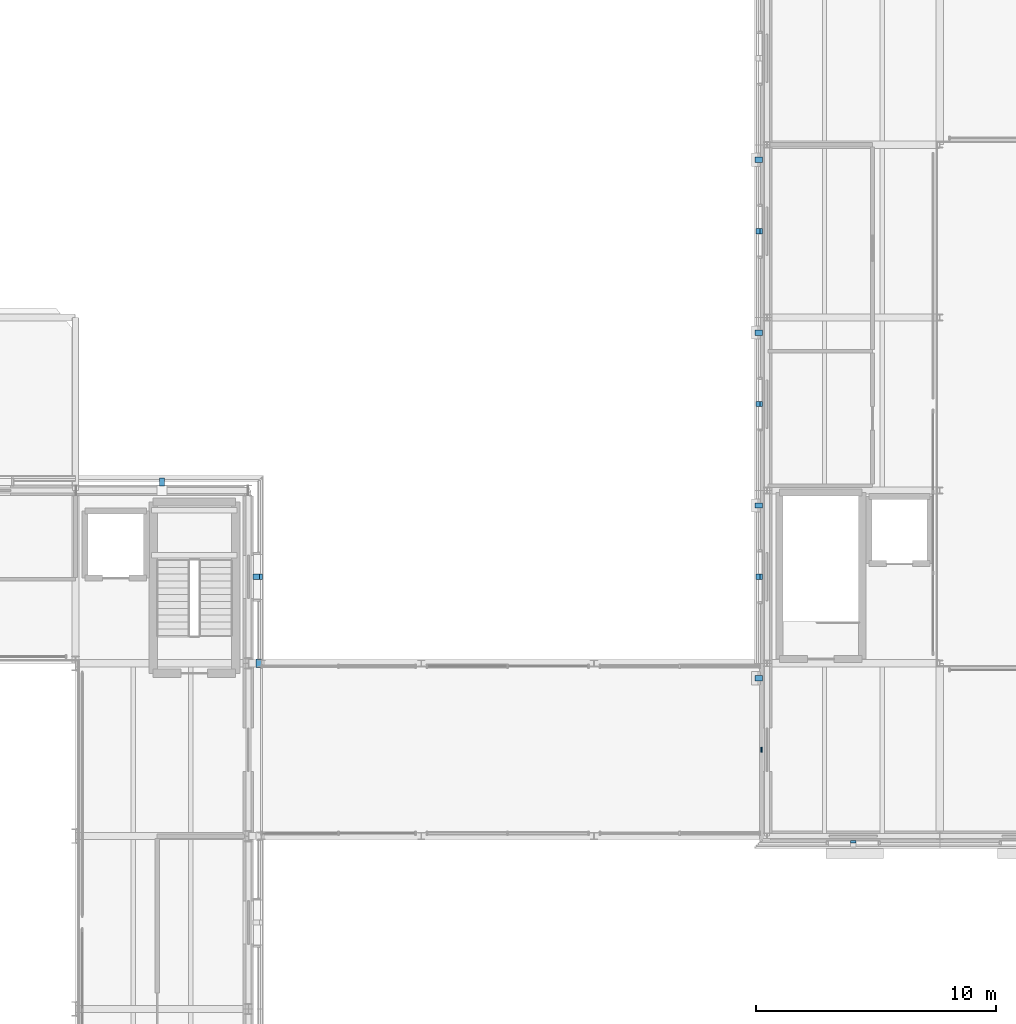
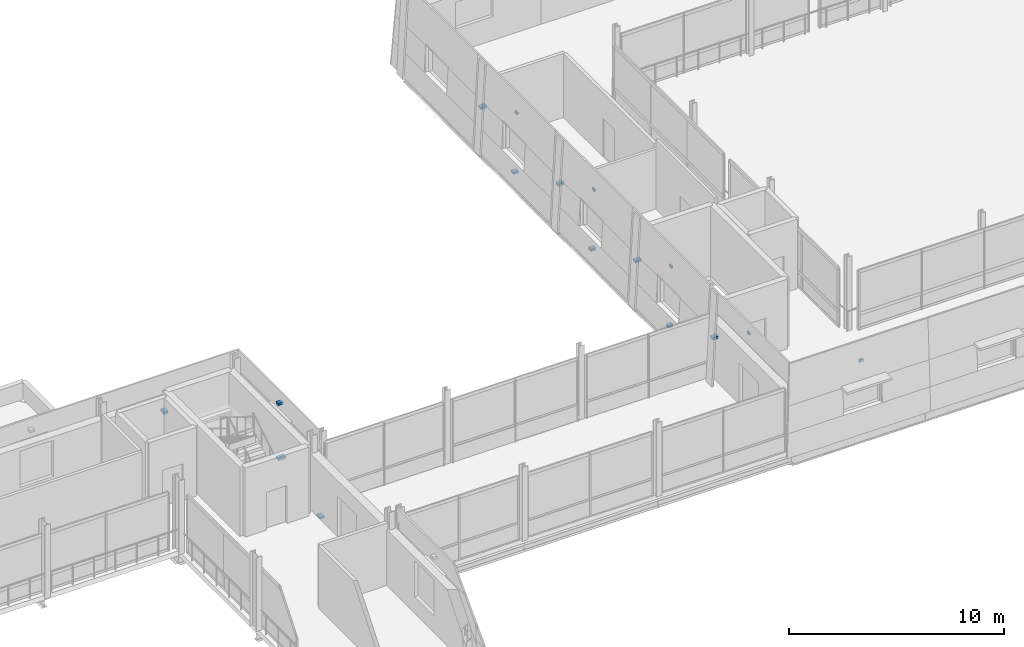
# One storey, part 86 of 115: 16 discrete accessories.
"""IFC4 building model written with IfcOpenShell, lengths in metres."""

from ifc_helpers import new_model, si_unit, direction, frame, origin, origin_2d, place, context, subcontext, project, spatial, rectangle, extrude, material, layer, layer_set, type_object, element, save


model = new_model("IFC4")

# Units and contexts
model_context = context("Model", 3, precision=1e-05, world=origin(), true_north=direction((0.0, 1.0)))
body_context = subcontext(model_context, "Body", "Model", "MODEL_VIEW")
ifc_project = project(units=[si_unit("LENGTHUNIT", "METRE"), si_unit("AREAUNIT", "SQUARE_METRE"), si_unit("VOLUMEUNIT", "CUBIC_METRE"), si_unit("PLANEANGLEUNIT", "RADIAN"), si_unit("MASSUNIT", "GRAM", prefix="KILO")], contexts=[model_context])

# Site, building, storey
site_placement = place(None, origin())
site = spatial("IfcSite", under=ifc_project, at=site_placement, CompositionType="ELEMENT")
building_placement = place(site_placement, origin())
building = spatial("IfcBuilding", under=site, at=building_placement, Name="Narikvali Park Central Library", CompositionType="ELEMENT")
storey_placement = place(building_placement, frame((0.0, 0.0, 10.199951171875)))
storey = spatial("IfcBuildingStorey", under=building, at=storey_placement, Name="L02", CompositionType="ELEMENT", Elevation=10.199951171875)

# Discrete accessories
ifc_material = material(Name="Brushed Stainless Steel S355", Category="steel")
ifc_layer_1 = layer(ifc_material, 0.139892578125, Name="Brushed Stainless Steel S355")
ifc_layer_set_1 = layer_set([ifc_layer_1], Name="Brushed Stainless Steel S355")
discrete_accessory_type_1 = type_object("IfcDiscreteAccessoryType", Name="Cladding Stainless Tie-Back Corbel Bracket", PredefinedType="BRACKET", material=ifc_layer_set_1)
discrete_accessory_1_placement = place(storey_placement, frame((101.1865234375, 90.0, 0.4052734375), z_axis=(0.0, 0.0, 1.0), x_axis=(1.0, 0.0, 0.0)))
element("IfcDiscreteAccessory", 1, at=discrete_accessory_1_placement, inside=storey, type_object=discrete_accessory_type_1, Name="Limestone Cladding Tie-Back Bracket V1-CLD-L02-E-B05-SP", PredefinedType="BRACKET", context=body_context, shape_type="SweptSolid", body=[
    extrude(rectangle(XDim=0.393310546875, YDim=0.219970703125, at=origin_2d()), origin(), (0.0, 0.0, 1.0), 0.139892578125),
])
discrete_accessory_2_placement = place(storey_placement, frame((101.12255859375, 90.0, 3.5302734375), z_axis=(0.0, 0.0, 1.0), x_axis=(1.0, 0.0, 0.0)))
element("IfcDiscreteAccessory", 2, at=discrete_accessory_2_placement, inside=storey, type_object=discrete_accessory_type_1, Name="Limestone Cladding Tie-Back Bracket V1-CLD-L02-E-B05-LN", PredefinedType="BRACKET", context=body_context, shape_type="SweptSolid", body=[
    extrude(rectangle(XDim=0.26513671875, YDim=0.219970703125, at=origin_2d()), origin(), (0.0, 0.0, 1.0), 0.139892578125),
])
discrete_accessory_3_placement = place(storey_placement, frame((97.199951171875, 93.953369140625, 2.0302734375), z_axis=(0.0, 0.0, 1.0), x_axis=(1.0, 0.0, 0.0)))
element("IfcDiscreteAccessory", 3, at=discrete_accessory_3_placement, inside=storey, type_object=discrete_accessory_type_1, Name="Limestone Cladding Tie-Back Bracket V1-CLD-L02-N-B01-FULL", PredefinedType="BRACKET", context=body_context, shape_type="SweptSolid", body=[
    extrude(rectangle(XDim=0.219970703125, YDim=0.32666015625, at=origin_2d()), origin(), (0.0, 0.0, 1.0), 0.139892578125),
])
discrete_accessory_4_placement = place(storey_placement, frame((126.0, 78.965087890625, 3.93017578125), z_axis=(0.0, 0.0, 1.0), x_axis=(1.0, 0.0, 0.0)))
element("IfcDiscreteAccessory", 4, at=discrete_accessory_4_placement, inside=storey, type_object=discrete_accessory_type_1, Name="Limestone Cladding Tie-Back Bracket V3-CLD-L02-S-B01-LN", PredefinedType="BRACKET", context=body_context, shape_type="SweptSolid", body=[
    extrude(rectangle(XDim=0.219970703125, YDim=0.08984375, at=origin_2d()), origin(), (0.0, 0.0, 1.0), 0.139892578125),
])
discrete_accessory_5_placement = place(storey_placement, frame((122.057861328125, 107.375, 2.5048828125), z_axis=(0.0, 0.0, 1.0), x_axis=(1.0, 0.0, 0.0)))
element("IfcDiscreteAccessory", 5, at=discrete_accessory_5_placement, inside=storey, type_object=discrete_accessory_type_1, Name="Limestone Cladding Tie-Back Bracket V3-PIL-L02-W-B02", PredefinedType="BRACKET", context=body_context, shape_type="SweptSolid", body=[
    extrude(rectangle(XDim=0.30419921875, YDim=0.219970703125, at=origin_2d()), origin(), (0.0, 0.0, 1.0), 0.139892578125),
])
discrete_accessory_6_placement = place(storey_placement, frame((122.078369140625, 104.39990234375, 0.60498046875), z_axis=(0.0, 0.0, 1.0), x_axis=(1.0, 0.0, 0.0)))
element("IfcDiscreteAccessory", 6, at=discrete_accessory_6_placement, inside=storey, type_object=discrete_accessory_type_1, Name="Limestone Cladding Tie-Back Bracket V3-CLD-L02-W-B02-SP", PredefinedType="BRACKET", context=body_context, shape_type="SweptSolid", body=[
    extrude(rectangle(XDim=0.26318359375, YDim=0.219970703125, at=origin_2d()), origin(), (0.0, 0.0, 1.0), 0.139892578125),
])
discrete_accessory_7_placement = place(storey_placement, frame((122.1650390625, 104.39990234375, 3.93017578125), z_axis=(0.0, 0.0, 1.0), x_axis=(1.0, 0.0, 0.0)))
element("IfcDiscreteAccessory", 7, at=discrete_accessory_7_placement, inside=storey, type_object=discrete_accessory_type_1, Name="Limestone Cladding Tie-Back Bracket V3-CLD-L02-W-B02-LN", PredefinedType="BRACKET", context=body_context, shape_type="SweptSolid", body=[
    extrude(rectangle(XDim=0.08984375, YDim=0.219970703125, at=origin_2d()), origin(), (0.0, 0.0, 1.0), 0.139892578125),
])
discrete_accessory_8_placement = place(storey_placement, frame((122.057861328125, 100.175048828125, 2.5048828125), z_axis=(0.0, 0.0, 1.0), x_axis=(1.0, 0.0, 0.0)))
element("IfcDiscreteAccessory", 8, at=discrete_accessory_8_placement, inside=storey, type_object=discrete_accessory_type_1, Name="Limestone Cladding Tie-Back Bracket V3-PIL-L02-W-B03", PredefinedType="BRACKET", context=body_context, shape_type="SweptSolid", body=[
    extrude(rectangle(XDim=0.30419921875, YDim=0.219970703125, at=origin_2d()), origin(), (0.0, 0.0, 1.0), 0.139892578125),
])
discrete_accessory_9_placement = place(storey_placement, frame((122.078369140625, 97.199951171875, 0.60498046875), z_axis=(0.0, 0.0, 1.0), x_axis=(1.0, 0.0, 0.0)))
element("IfcDiscreteAccessory", 9, at=discrete_accessory_9_placement, inside=storey, type_object=discrete_accessory_type_1, Name="Limestone Cladding Tie-Back Bracket V3-CLD-L02-W-B03-SP", PredefinedType="BRACKET", context=body_context, shape_type="SweptSolid", body=[
    extrude(rectangle(XDim=0.26318359375, YDim=0.219970703125, at=origin_2d()), origin(), (0.0, 0.0, 1.0), 0.139892578125),
])
discrete_accessory_10_placement = place(storey_placement, frame((122.1650390625, 97.199951171875, 3.93017578125), z_axis=(0.0, 0.0, 1.0), x_axis=(1.0, 0.0, 0.0)))
element("IfcDiscreteAccessory", 10, at=discrete_accessory_10_placement, inside=storey, type_object=discrete_accessory_type_1, Name="Limestone Cladding Tie-Back Bracket V3-CLD-L02-W-B03-LN", PredefinedType="BRACKET", context=body_context, shape_type="SweptSolid", body=[
    extrude(rectangle(XDim=0.08984375, YDim=0.219970703125, at=origin_2d()), origin(), (0.0, 0.0, 1.0), 0.139892578125),
])
discrete_accessory_11_placement = place(storey_placement, frame((122.057861328125, 92.97509765625, 2.5048828125), z_axis=(0.0, 0.0, 1.0), x_axis=(1.0, 0.0, 0.0)))
element("IfcDiscreteAccessory", 11, at=discrete_accessory_11_placement, inside=storey, type_object=discrete_accessory_type_1, Name="Limestone Cladding Tie-Back Bracket V3-PIL-L02-W-B04", PredefinedType="BRACKET", context=body_context, shape_type="SweptSolid", body=[
    extrude(rectangle(XDim=0.30419921875, YDim=0.219970703125, at=origin_2d()), origin(), (0.0, 0.0, 1.0), 0.139892578125),
])
discrete_accessory_12_placement = place(storey_placement, frame((122.078369140625, 90.0, 0.60498046875), z_axis=(0.0, 0.0, 1.0), x_axis=(1.0, 0.0, 0.0)))
element("IfcDiscreteAccessory", 12, at=discrete_accessory_12_placement, inside=storey, type_object=discrete_accessory_type_1, Name="Limestone Cladding Tie-Back Bracket V3-CLD-L02-W-B04-SP", PredefinedType="BRACKET", context=body_context, shape_type="SweptSolid", body=[
    extrude(rectangle(XDim=0.26318359375, YDim=0.219970703125, at=origin_2d()), origin(), (0.0, 0.0, 1.0), 0.139892578125),
])
discrete_accessory_13_placement = place(storey_placement, frame((122.1650390625, 90.0, 3.93017578125), z_axis=(0.0, 0.0, 1.0), x_axis=(1.0, 0.0, 0.0)))
element("IfcDiscreteAccessory", 13, at=discrete_accessory_13_placement, inside=storey, type_object=discrete_accessory_type_1, Name="Limestone Cladding Tie-Back Bracket V3-CLD-L02-W-B04-LN", PredefinedType="BRACKET", context=body_context, shape_type="SweptSolid", body=[
    extrude(rectangle(XDim=0.08984375, YDim=0.219970703125, at=origin_2d()), origin(), (0.0, 0.0, 1.0), 0.139892578125),
])
discrete_accessory_14_placement = place(storey_placement, frame((122.057861328125, 85.77490234375, 2.5048828125), z_axis=(0.0, 0.0, 1.0), x_axis=(1.0, 0.0, 0.0)))
element("IfcDiscreteAccessory", 14, at=discrete_accessory_14_placement, inside=storey, type_object=discrete_accessory_type_1, Name="Limestone Cladding Tie-Back Bracket V3-PIL-L02-W-B05", PredefinedType="BRACKET", context=body_context, shape_type="SweptSolid", body=[
    extrude(rectangle(XDim=0.30419921875, YDim=0.219970703125, at=origin_2d()), origin(), (0.0, 0.0, 1.0), 0.139892578125),
])
discrete_accessory_15_placement = place(storey_placement, frame((122.179931640625, 82.800048828125, 4.5048828125), z_axis=(0.0, 0.0, 1.0), x_axis=(1.0, 0.0, 0.0)))
element("IfcDiscreteAccessory", 15, at=discrete_accessory_15_placement, inside=storey, type_object=discrete_accessory_type_1, Name="Limestone Cladding Tie-Back Bracket V3-CLD-L02-W-B05-BHDR", PredefinedType="BRACKET", context=body_context, shape_type="SweptSolid", body=[
    extrude(rectangle(XDim=0.06005859375, YDim=0.219970703125, at=origin_2d()), origin(), (0.0, 0.0, 1.0), 0.139892578125),
])
ifc_layer_2 = layer(ifc_material, 0.080078125, Name="Brushed Stainless Steel S355")
ifc_layer_set_2 = layer_set([ifc_layer_2], Name="Brushed Stainless Steel S355")
discrete_accessory_type_2 = type_object("IfcDiscreteAccessoryType", Name="Unguided PTFE Sliding Bridge Bearing", PredefinedType="BRACKET", material=ifc_layer_set_2)
discrete_accessory_16_placement = place(storey_placement, frame((101.22998046875, 86.39990234375, -0.719970703125), z_axis=(0.0, 0.0, 1.0), x_axis=(1.0, 0.0, 0.0)))
element("IfcDiscreteAccessory", 16, at=discrete_accessory_16_placement, inside=storey, type_object=discrete_accessory_type_2, Name="BRG-3 L02 Unguided PTFE Sliding Bearing 2", PredefinedType="BRACKET", context=body_context, shape_type="SweptSolid", body=[
    extrude(rectangle(XDim=0.239990234375, YDim=0.360107421875, at=origin_2d()), origin(), (0.0, 0.0, 1.0), 0.080078125),
])

save(model, "model.ifc")
